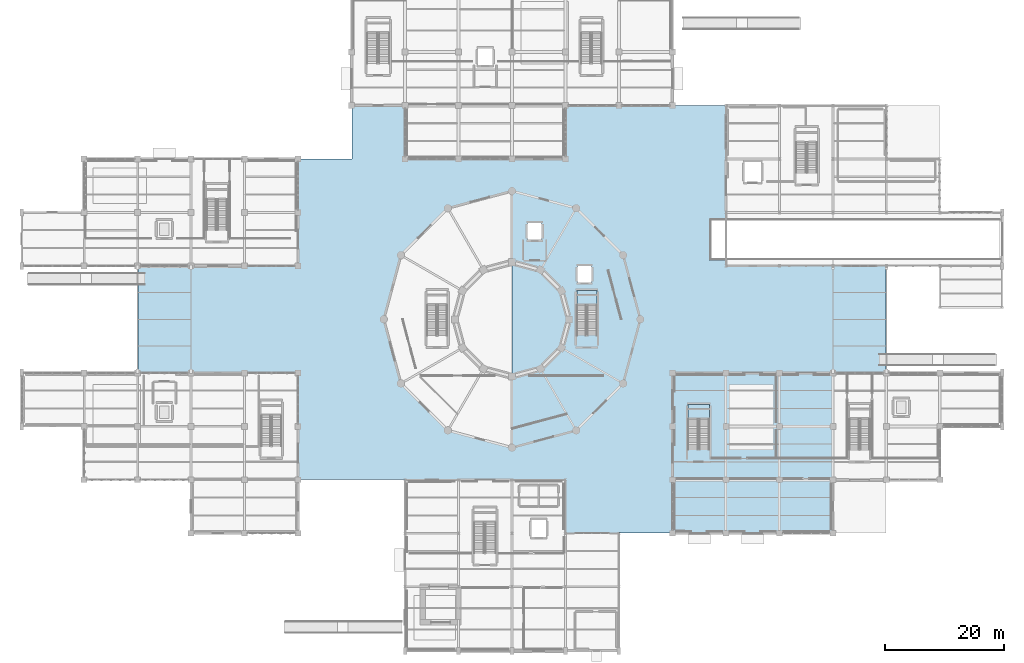
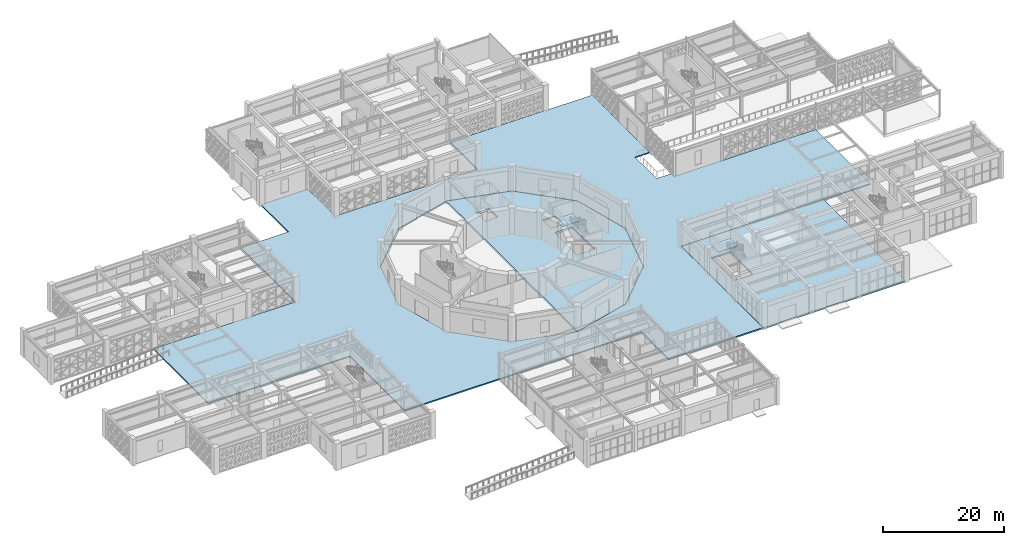
# One storey, part 105 of 140: 5 slabs, 2 elements without a shape of their own.
"""IFC4 building model written with IfcOpenShell, lengths in metres."""

from ifc_helpers import new_model, si_unit, direction, frame, origin, place, context, subcontext, project, spatial, polyline, outline, extrude, material, layer, layer_set, type_object, element, aggregate, save


model = new_model("IFC4")

# Units and contexts
model_context = context("Model", 3, precision=1e-05, world=origin(), true_north=direction((0.0, 1.0)))
body_context = subcontext(model_context, "Body", "Model", "MODEL_VIEW")
ifc_project = project(units=[si_unit("LENGTHUNIT", "METRE"), si_unit("AREAUNIT", "SQUARE_METRE"), si_unit("VOLUMEUNIT", "CUBIC_METRE"), si_unit("PLANEANGLEUNIT", "RADIAN"), si_unit("MASSUNIT", "GRAM", prefix="KILO")], contexts=[model_context])

# Site, building, storey
site_placement = place(None, origin())
site = spatial("IfcSite", under=ifc_project, at=site_placement, CompositionType="ELEMENT")
building_placement = place(site_placement, origin())
building = spatial("IfcBuilding", under=site, at=building_placement, Name="Haizhuo Lancet Aquarium", CompositionType="ELEMENT")
storey_placement = place(building_placement, origin())
storey = spatial("IfcBuildingStorey", under=building, at=storey_placement, Name="L00", CompositionType="ELEMENT", Elevation=0.0)

# Stair, slab
ifc_material_1 = material(Name="Concrete C40/50", Category="concrete")
stair_type_1 = type_object("IfcStairType", Name="STR-HT-1600-54", PredefinedType="HALF_TURN_STAIR", material=ifc_material_1)
stair_1_placement = place(storey_placement, origin())
stair_1 = element("IfcStair", 1, at=stair_1_placement, inside=storey, type_object=stair_type_1, Name="L00 enclosed exit stair ST-02", PredefinedType="HALF_TURN_STAIR")
ifc_layer_1 = layer(ifc_material_1, 0.199951171875)
ifc_layer_set_1 = layer_set([ifc_layer_1], Name="Concrete C40/50")
slab_type_1 = type_object("IfcSlabType", Name="SLB-LND-1600", PredefinedType="LANDING", material=ifc_layer_set_1)
slab_1_placement = place(storey_placement, frame((0.0, 0.0, 2.5)))
slab_1 = element("IfcSlab", 2, at=slab_1_placement, type_object=slab_type_1, Name="ST-15 landing 1", PredefinedType="LANDING", context=body_context, shape_type="SweptSolid", body=[
    extrude(outline(polyline([(14.300048828125, 2.35009765625), (14.300048828125, 4.85009765625), (10.89990234375, 4.85009765625), (10.89990234375, 2.35009765625), (14.300048828125, 2.35009765625)])), origin(), (0.0, 0.0, 1.0), 0.199951171875),
])
aggregate(stair_1, [slab_1])

stair_type_2 = type_object("IfcStairType", Name="STR-HT-1700-54", PredefinedType="HALF_TURN_STAIR", material=ifc_material_1)
stair_2_placement = place(storey_placement, origin())
stair_2 = element("IfcStair", 3, at=stair_2_placement, inside=storey, type_object=stair_type_2, Name="L00 enclosed exit stair ST-04", PredefinedType="HALF_TURN_STAIR")
ifc_layer_2 = layer(ifc_material_1, 0.199951171875)
ifc_layer_set_2 = layer_set([ifc_layer_2], Name="Concrete C40/50")
slab_type_2 = type_object("IfcSlabType", Name="SLB-LND-1700", PredefinedType="LANDING", material=ifc_layer_set_2)
slab_2_placement = place(storey_placement, frame((0.0, 0.0, 2.5)))
slab_2 = element("IfcSlab", 4, at=slab_2_placement, type_object=slab_type_2, Name="ST-35 landing 1", PredefinedType="LANDING", context=body_context, shape_type="SweptSolid", body=[
    extrude(outline(polyline([(33.199951171875, -16.85009765625), (33.199951171875, -14.35009765625), (29.60009765625, -14.35009765625), (29.60009765625, -16.85009765625), (33.199951171875, -16.85009765625)])), origin(), (0.0, 0.0, 1.0), 0.199951171875),
])
aggregate(stair_2, [slab_2])

# Slabs
ifc_material_2 = material(Name="Concrete C45/55", Category="concrete")
ifc_layer_3 = layer(ifc_material_2, 0.39990234375)
ifc_layer_set_3 = layer_set([ifc_layer_3], Name="Concrete C45/55")
slab_type_3 = type_object("IfcSlabType", Name="SLB-LSS-400", PredefinedType="FLOOR", material=ifc_layer_set_3)
slab_3_placement = place(storey_placement, frame((0.0, 0.0, -0.39990234375)))
element("IfcSlab", 5, at=slab_3_placement, inside=storey, type_object=slab_type_3, Name="L00 structural slab SL-L00-V1-02", PredefinedType="FLOOR", context=body_context, shape_type="SweptSolid", body=[
    extrude(outline(polyline([(0.0, 21.60009765625), (0.0, -21.60009765625), (10.800048828125, -18.7060546875), (18.7060546875, -10.800048828125), (21.60009765625, 0.0), (18.7060546875, 10.800048828125), (10.800048828125, 18.7060546875), (0.0, 21.60009765625)]), holes=[polyline([(10.89990234375, -2.570068359375), (14.300048828125, -2.570068359375), (14.300048828125, 4.85009765625), (10.89990234375, 4.85009765625), (10.89990234375, -2.570068359375)]), polyline([(2.60009765625, 16.199951171875), (2.60009765625, 13.39990234375), (5.0, 13.39990234375), (5.0, 16.199951171875), (2.60009765625, 16.199951171875)]), polyline([(13.39990234375, 6.199951171875), (13.39990234375, 9.0), (11.0, 9.0), (11.0, 6.199951171875), (13.39990234375, 6.199951171875)])]), origin(), (0.0, 0.0, 1.0), 0.39990234375),
])
ifc_layer_4 = layer(ifc_material_1, 0.300048828125)
ifc_layer_set_4 = layer_set([ifc_layer_4], Name="Concrete C40/50")
slab_type_4 = type_object("IfcSlabType", Name="SLB-PLINTH-300", PredefinedType="FLOOR", material=ifc_layer_set_4)
slab_4_placement = place(storey_placement, frame((0.0, 0.0, -0.300048828125)))
element("IfcSlab", 6, at=slab_4_placement, inside=storey, type_object=slab_type_4, Name="L00 structural slab SL-L00-V3-01", PredefinedType="FLOOR", context=body_context, shape_type="SweptSolid", body=[
    extrude(outline(polyline([(27.0, -36.0), (54.0, -36.0), (54.0, -9.0), (27.0, -9.0), (27.0, -36.0)]), holes=[polyline([(33.199951171875, -14.35009765625), (29.60009765625, -14.35009765625), (29.60009765625, -21.77001953125), (33.199951171875, -21.77001953125), (33.199951171875, -14.35009765625)])]), origin(), (0.0, 0.0, 1.0), 0.300048828125),
])
ifc_material_3 = material(Name="Shandong Grey Limestone Ashlar", Category="masonry")
slab_type_5 = type_object("IfcSlabType", Name="SLB-PV-200", PredefinedType="BASESLAB", material=ifc_material_3)
slab_5_placement = place(storey_placement, frame((0.0, 0.0, -0.25)))
element("IfcSlab", 7, at=slab_5_placement, inside=storey, type_object=slab_type_5, material=ifc_material_3, Name="Central cloister court and public passage stone paving 1", PredefinedType="BASESLAB", context=body_context, shape_type="SweptSolid", body=[
    extrude(outline(polyline([(-62.949951171875, 8.97998046875), (-62.949951171875, -8.97998046875), (-35.991943359375, -8.98193359375), (-35.97998046875, -9.0), (-35.97998046875, -26.949951171875), (-18.0, -26.949951171875), (-17.971923828125, -26.9580078125), (-17.9541015625, -26.97998046875), (9.00390625, -26.97998046875), (9.02001953125, -27.0), (9.02001953125, -35.97998046875), (17.9541015625, -35.97998046875), (17.971923828125, -35.9580078125), (18.0, -35.949951171875), (26.97998046875, -35.949951171875), (26.97998046875, -9.0), (26.990966796875, -8.98193359375), (62.949951171875, -8.97998046875), (62.949951171875, 8.97998046875), (36.0, 8.97998046875), (35.986083984375, 8.986083984375), (35.97998046875, 9.0), (35.97998046875, 9.89990234375), (33.199951171875, 9.89990234375), (33.199951171875, 17.0), (35.97998046875, 17.0), (35.97998046875, 35.949951171875), (27.0, 35.949951171875), (26.971923828125, 35.9580078125), (26.9541015625, 35.97998046875), (9.02001953125, 35.97998046875), (9.02001953125, 27.0), (9.006103515625, 26.98095703125), (-18.0, 26.97998046875), (-18.013916015625, 26.986083984375), (-18.02001953125, 27.0), (-18.02001953125, 35.97998046875), (-26.949951171875, 35.97998046875), (-26.949951171875, 27.0), (-26.965087890625, 26.965087890625), (-27.0, 26.949951171875), (-35.97998046875, 26.949951171875), (-35.97998046875, 9.0), (-35.986083984375, 8.986083984375), (-36.0, 8.97998046875), (-62.949951171875, 8.97998046875)]), holes=[polyline([(-10.81103515625, 18.722900390625), (-0.0048828125, 21.618896484375), (10.81103515625, 18.722900390625), (18.722900390625, 10.81103515625), (21.618896484375, 0.0048828125), (18.722900390625, -10.81103515625), (10.81103515625, -18.722900390625), (0.0048828125, -21.618896484375), (-10.81103515625, -18.722900390625), (-18.722900390625, -10.81103515625), (-21.618896484375, -0.0048828125), (-18.721923828125, 10.81298828125), (-10.81103515625, 18.722900390625)])]), origin(), (0.0, 0.0, 1.0), 0.25),
])

save(model, "model.ifc")
